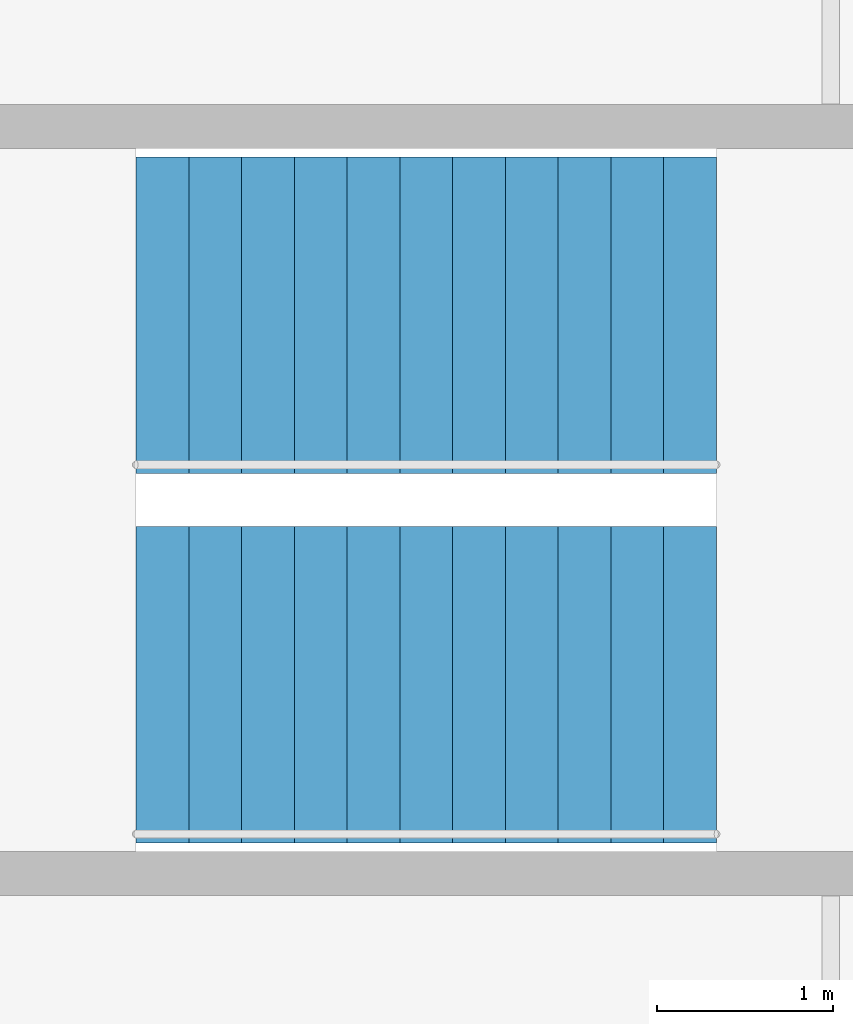
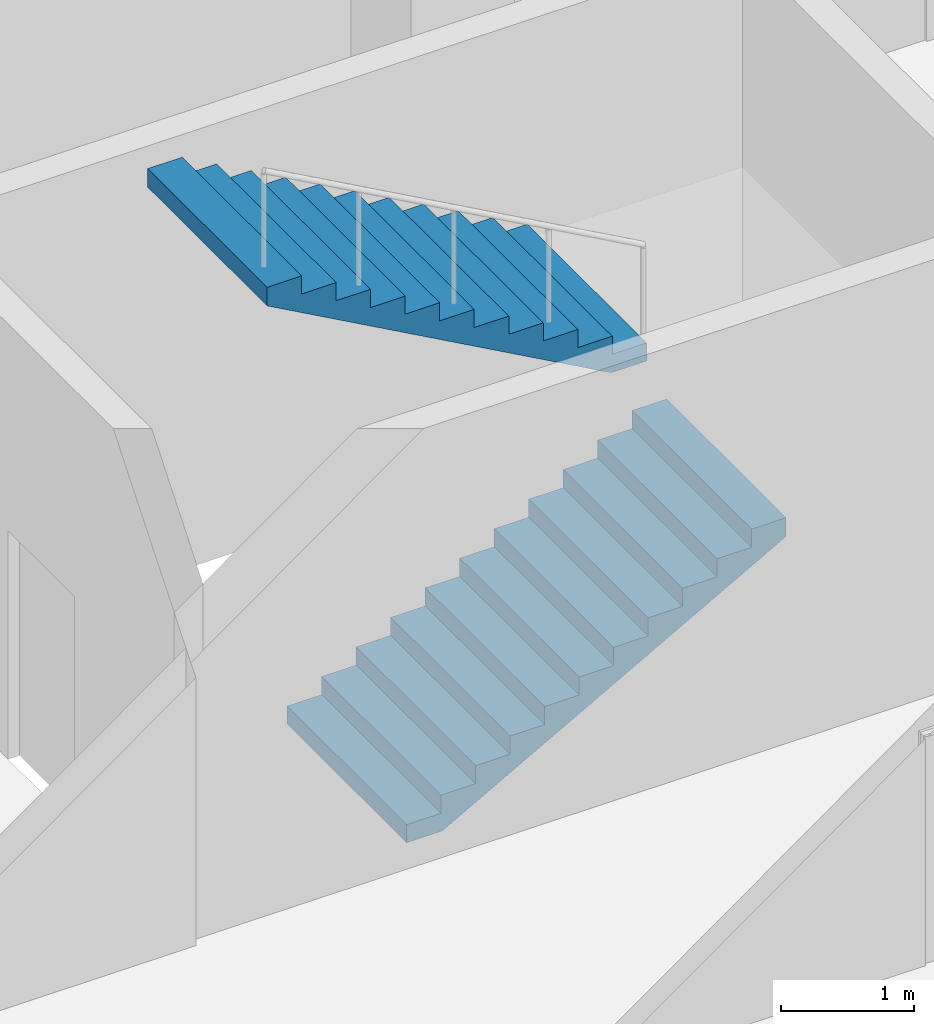
# One storey, part 6 of 8: 2 stair flights, 1 element without a shape of its own.
"""IFC4 building model written with IfcOpenShell, lengths in metres."""

from ifc_helpers import new_model, si_unit, direction, frame, origin, place, context, subcontext, project, spatial, polyline, outline, extrude, material, type_object, element, aggregate, save


model = new_model("IFC4")

# Units and contexts
model_context = context("Model", 3, precision=1e-05, world=origin(), true_north=direction((0.0, 1.0)))
body_context = subcontext(model_context, "Body", "Model", "MODEL_VIEW")
ifc_project = project(units=[si_unit("LENGTHUNIT", "METRE"), si_unit("AREAUNIT", "SQUARE_METRE"), si_unit("VOLUMEUNIT", "CUBIC_METRE"), si_unit("PLANEANGLEUNIT", "RADIAN"), si_unit("MASSUNIT", "GRAM", prefix="KILO")], contexts=[model_context])

# Site, building, storey
site_placement = place(None, origin())
site = spatial("IfcSite", under=ifc_project, at=site_placement, CompositionType="ELEMENT")
building_placement = place(site_placement, origin())
building = spatial("IfcBuilding", under=site, at=building_placement, Name="Cinnabar Reach Civic Tower", CompositionType="ELEMENT")
storey_placement = place(building_placement, frame((0.0, 0.0, 189.0)))
storey = spatial("IfcBuildingStorey", under=building, at=storey_placement, Name="L45", CompositionType="ELEMENT", Elevation=189.0)

# Stair, stair flights
ifc_material = material(Name="Concrete C40/50", Category="concrete")
stair_type = type_object("IfcStairType", Name="T1 Exit stair, half-turn", PredefinedType="HALF_TURN_STAIR", material=ifc_material)
stair_placement = place(storey_placement, origin())
stair = element("IfcStair", 1, at=stair_placement, inside=storey, type_object=stair_type, Name="Stair T1-S3", PredefinedType="HALF_TURN_STAIR")
stair_flight_type = type_object("IfcStairFlightType", Name="T1 Stair flight, concrete", PredefinedType="STRAIGHT", material=ifc_material)
stair_flight_1_placement = place(storey_placement, frame((32.05, 30.45, 0.0), z_axis=(0.0, 0.0, 1.0), x_axis=(1.0, 0.0, 0.0)))
stair_flight_1 = element("IfcStairFlight", 2, at=stair_flight_1_placement, type_object=stair_flight_type, Name="T1-S3 flight 1", NumberOfRisers=12, NumberOfTreads=11, PredefinedType="STRAIGHT", RiserHeight=0.166666667, TreadLength=0.3, context=body_context, shape_type="SweptSolid", body=[
    extrude(outline(polyline([(0.0, 0.0), (0.0, 0.1667), (0.3, 0.1667), (0.3, 0.3333), (0.6, 0.3333), (0.6, 0.5), (0.9, 0.5), (0.9, 0.6667), (1.2, 0.6667), (1.2, 0.8333), (1.5, 0.8333), (1.5, 1.0), (1.8, 1.0), (1.8, 1.1667), (2.1, 1.1667), (2.1, 1.3333), (2.4, 1.3333), (2.4, 1.5), (2.7, 1.5), (2.7, 1.6667), (3.0, 1.6667), (3.0, 1.8333), (3.3, 1.8333), (3.3, 2.0), (3.3, 1.6617), (0.3089, 0.0), (0.0, 0.0)])), frame((0.0, 0.9, 0.0), z_axis=(0.0, -1.0, 0.0), x_axis=(1.0, 0.0, 0.0)), (0.0, 0.0, 1.0), 1.8),
])
stair_flight_2_placement = place(storey_placement, frame((35.35, 32.55, 2.0), z_axis=(0.0, 0.0, 1.0), x_axis=(-1.0, 0.0, 0.0)))
stair_flight_2 = element("IfcStairFlight", 3, at=stair_flight_2_placement, type_object=stair_flight_type, Name="T1-S3 flight 2", NumberOfRisers=12, NumberOfTreads=11, PredefinedType="STRAIGHT", RiserHeight=0.166666667, TreadLength=0.3, context=body_context, shape_type="SweptSolid", body=[
    extrude(outline(polyline([(0.0, 0.0), (0.0, 0.1667), (0.3, 0.1667), (0.3, 0.3333), (0.6, 0.3333), (0.6, 0.5), (0.9, 0.5), (0.9, 0.6667), (1.2, 0.6667), (1.2, 0.8333), (1.5, 0.8333), (1.5, 1.0), (1.8, 1.0), (1.8, 1.1667), (2.1, 1.1667), (2.1, 1.3333), (2.4, 1.3333), (2.4, 1.5), (2.7, 1.5), (2.7, 1.6667), (3.0, 1.6667), (3.0, 1.8333), (3.3, 1.8333), (3.3, 2.0), (3.3, 1.6617), (0.3089, 0.0), (0.0, 0.0)])), frame((0.0, 0.9, 0.0), z_axis=(0.0, -1.0, 0.0), x_axis=(1.0, 0.0, 0.0)), (0.0, 0.0, 1.0), 1.8),
])
aggregate(stair, [stair_flight_1, stair_flight_2])

save(model, "model.ifc")
